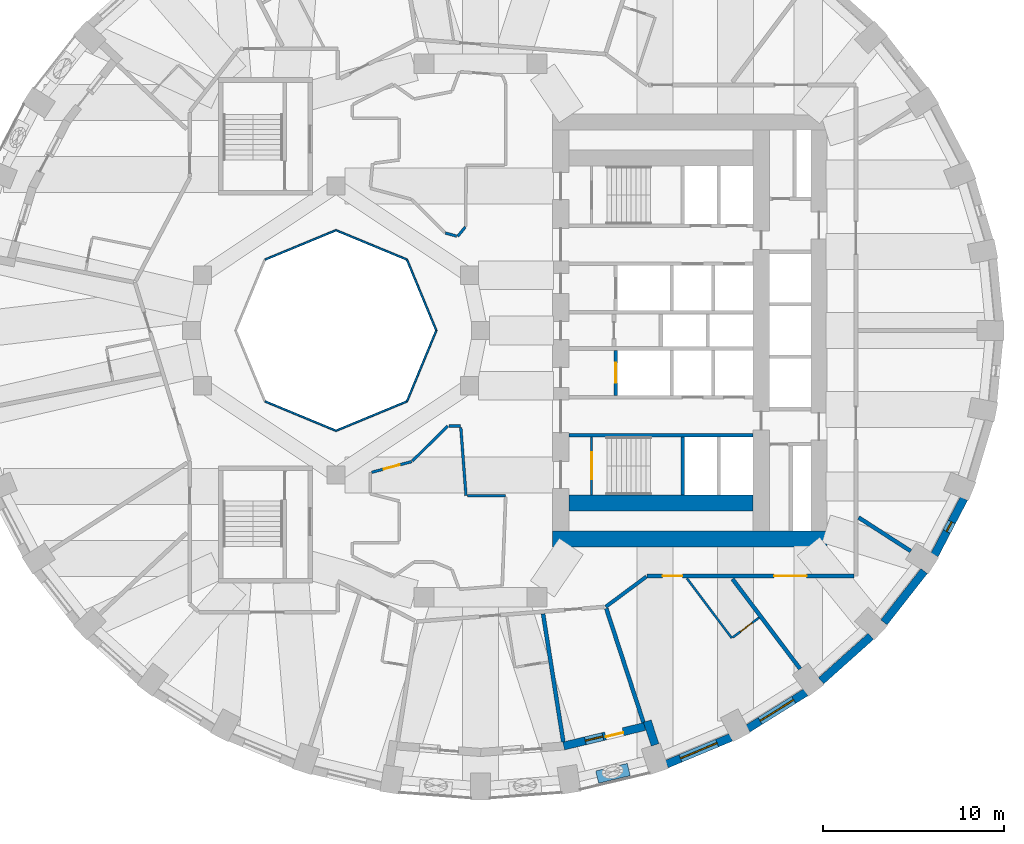
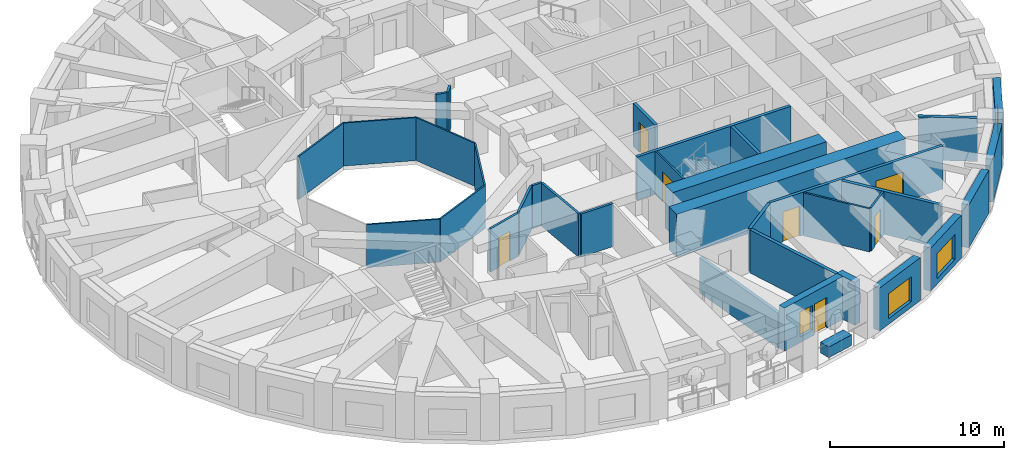
# One storey, part 5 of 13: 35 walls, 7 doors, 4 windows, 11 openings.
"""IFC4 building model written with IfcOpenShell, lengths in metres."""

from ifc_helpers import new_model, si_unit, direction, frame, frame_2d, origin, place, context, subcontext, project, spatial, rectangle, extrude, material, layer, layer_set, constituent, constituent_set, type_object, element, fill, save


model = new_model("IFC4")

# Units and contexts
model_context = context("Model", 3, precision=1e-05, world=origin(), true_north=direction((0.0, 1.0)))
body_context = subcontext(model_context, "Body", "Model", "MODEL_VIEW")
ifc_project = project(units=[si_unit("LENGTHUNIT", "METRE"), si_unit("AREAUNIT", "SQUARE_METRE"), si_unit("VOLUMEUNIT", "CUBIC_METRE"), si_unit("PLANEANGLEUNIT", "RADIAN"), si_unit("MASSUNIT", "GRAM", prefix="KILO")], contexts=[model_context])

# Site, building, storey
site_placement = place(None, origin())
site = spatial("IfcSite", under=ifc_project, at=site_placement, CompositionType="ELEMENT")
building_placement = place(site_placement, origin())
building = spatial("IfcBuilding", under=site, at=building_placement, Name="Taillehof Tower", CompositionType="ELEMENT")
storey_placement = place(building_placement, frame((0.0, 0.0, 34.89990234375)))
storey = spatial("IfcBuildingStorey", under=building, at=storey_placement, Name="L08", CompositionType="ELEMENT", Elevation=34.89990234375)

# Walls
ifc_material_1 = material(Name="Fire-resisting glass in steel frame", Category="steel")
ifc_layer_1 = layer(ifc_material_1, 0.10009765625)
ifc_layer_set_1 = layer_set([ifc_layer_1], Name="Atrium fire-resisting screen EI 60 100")
wall_type_1 = type_object("IfcWallType", Name="Atrium fire-resisting screen EI 60 100", PredefinedType="PARTITIONING", material=ifc_layer_set_1)
for number, where, z_axis, x_axis, name in (
    (1, (-2.44580078125, 0.0, 0.0), (0.0, 0.0, 1.0), (-0.382730523909, -0.923860025149, 0.0), "Atrium screen"),
    (2, (-4.07275390625, -3.92724609375, 0.0), (0.0, 0.0, 1.0), (-0.923860025149, -0.382730523909, 0.0), "Atrium screen"),
    (3, (-8.0, -5.55419921875, 0.0), (0.0, 0.0, 1.0), (-0.923860025149, 0.382730523909, 0.0), "Atrium screen"),
    (4, (-11.92724609375, 3.92724609375, 0.0), (0.0, 0.0, 1.0), (0.923860025149, 0.382730523909, 0.0), "Atrium screen"),
    (5, (-8.0, 5.55419921875, 0.0), (0.0, 0.0, 1.0), (0.923860025149, -0.382730523909, 0.0), "Atrium screen"),
    (6, (-4.07275390625, 3.92724609375, 0.0), (0.0, 0.0, 1.0), (0.382730523909, -0.923860025149, 0.0), "Atrium screen"),
):
    element("IfcWall", number, at=place(storey_placement, frame(where, z_axis=z_axis, x_axis=x_axis)), inside=storey, type_object=wall_type_1, Name=name, PredefinedType="PARTITIONING", context=body_context, shape_type="SweptSolid", body=[
        extrude(rectangle(XDim=4.2509765625, YDim=0.10009765625, at=frame_2d((2.12548828125, 0.0))), origin(), (0.0, 0.0, 1.0), 3.02001953125),
    ])

# Wall, opening, window
ifc_material_2 = material(Name="Brick masonry", Category="masonry")
ifc_layer_2 = layer(ifc_material_2, 0.449951171875)
ifc_layer_set_2 = layer_set([ifc_layer_2], Name="Brick infill wall 450")
wall_type_2 = type_object("IfcWallType", Name="Brick infill wall 450", PredefinedType="SOLIDWALL", material=ifc_layer_set_2)
wall_1_placement = place(storey_placement, frame((10.3154296875, -24.02099609375, 0.0), z_axis=(0.0, 0.0, 1.0), x_axis=(0.923031964282, 0.384723267966, 0.0)))
wall_1 = element("IfcWall", 7, at=wall_1_placement, inside=storey, type_object=wall_type_2, Name="Brick wall L08 bay 30", PredefinedType="SOLIDWALL", context=body_context, shape_type="SweptSolid", body=[
    extrude(rectangle(XDim=3.8564453125, YDim=0.449951171875, at=frame_2d((1.92822265625, 0.0))), origin(), (0.0, 0.0, 1.0), 3.02001953125),
])
opening_1_placement = place(wall_1_placement, frame((0.828125, 0.0, 0.39990234375)))
opening_1 = element("IfcOpeningElement", 8, at=opening_1_placement, cuts=wall_1, Name="Opening W1", PredefinedType="OPENING", context=body_context, shape_type="SweptSolid", body=[
    extrude(rectangle(XDim=2.199951171875, YDim=1.75, at=frame_2d((1.10009765625, 0.875))), frame((0.0, 0.23486328125, 0.0), z_axis=(0.0, -1.0, 0.0), x_axis=(1.0, 0.0, 0.0)), (0.0, 0.0, 1.0), 0.469970703125),
])
ifc_material_3 = material(Name="Aluminium window frame with clear double glazing", Category="aluminium")
window_type_1 = type_object("IfcWindowType", Name="Deep-set window 2200x1750", PartitioningType="SINGLE_PANEL", PredefinedType="WINDOW", material=ifc_material_3)
window_1_placement = place(opening_1_placement, origin())
window_1 = element("IfcWindow", 9, at=window_1_placement, inside=storey, type_object=window_type_1, Name="W1", OverallHeight=1.75, OverallWidth=2.199951171875, PartitioningType="SINGLE_PANEL", PredefinedType="WINDOW", context=body_context, shape_type="SweptSolid", body=[
    extrude(rectangle(XDim=2.199951171875, YDim=1.75, at=frame_2d((1.10009765625, 0.875))), frame((0.0, 0.034912109375, 0.0), z_axis=(0.0, -1.0, 0.0), x_axis=(1.0, 0.0, 0.0)), (0.0, 0.0, 1.0), 0.06005859375),
])
fill(opening_1, window_1)

wall_2_placement = place(storey_placement, frame((14.81689453125, -22.050537109375, 0.0), z_axis=(0.0, 0.0, 1.0), x_axis=(0.847635480093, 0.530579016629, 0.0)))
wall_2 = element("IfcWall", 10, at=wall_2_placement, inside=storey, type_object=wall_type_2, Name="Brick wall L08 bay 31", PredefinedType="SOLIDWALL", context=body_context, shape_type="SweptSolid", body=[
    extrude(rectangle(XDim=3.782470703125, YDim=0.449951171875, at=frame_2d((1.89111328125, 0.0))), origin(), (0.0, 0.0, 1.0), 3.02001953125),
])
opening_2_placement = place(wall_2_placement, frame((0.791259765625, 0.0, 0.39990234375)))
opening_2 = element("IfcOpeningElement", 11, at=opening_2_placement, cuts=wall_2, Name="Opening W1", PredefinedType="OPENING", context=body_context, shape_type="SweptSolid", body=[
    extrude(rectangle(XDim=2.199951171875, YDim=1.75, at=frame_2d((1.10009765625, 0.875))), frame((0.0, 0.23486328125, 0.0), z_axis=(0.0, -1.0, 0.0), x_axis=(1.0, 0.0, 0.0)), (0.0, 0.0, 1.0), 0.469970703125),
])
window_2_placement = place(opening_2_placement, origin())
window_2 = element("IfcWindow", 12, at=window_2_placement, inside=storey, type_object=window_type_1, Name="W1", OverallHeight=1.75, OverallWidth=2.199951171875, PartitioningType="SINGLE_PANEL", PredefinedType="WINDOW", context=body_context, shape_type="SweptSolid", body=[
    extrude(rectangle(XDim=2.199951171875, YDim=1.75, at=frame_2d((1.10009765625, 0.875))), frame((0.0, 0.034912109375, 0.0), z_axis=(0.0, -1.0, 0.0), x_axis=(1.0, 0.0, 0.0)), (0.0, 0.0, 1.0), 0.06005859375),
])
fill(opening_2, window_2)

# Walls
wall_3_placement = place(storey_placement, frame((18.87060546875, -19.406982421875, 0.0), z_axis=(0.0, 0.0, 1.0), x_axis=(0.745526233716, 0.66647628228, 0.0)))
element("IfcWall", 13, at=wall_3_placement, inside=storey, type_object=wall_type_2, Name="Brick wall L08 bay 32", PredefinedType="SOLIDWALL", context=body_context, shape_type="SweptSolid", body=[
    extrude(rectangle(XDim=3.69677734375, YDim=0.449951171875, at=frame_2d((1.848388671875, 0.0))), origin(), (0.0, 0.0, 1.0), 3.02001953125),
])
wall_4_placement = place(storey_placement, frame((22.3515625, -16.169677734375, 0.0), z_axis=(0.0, 0.0, 1.0), x_axis=(0.616661975264, 0.787228053529, 0.0)))
element("IfcWall", 14, at=wall_4_placement, inside=storey, type_object=wall_type_2, Name="Brick wall L08 bay 33", PredefinedType="SOLIDWALL", context=body_context, shape_type="SweptSolid", body=[
    extrude(rectangle(XDim=3.60986328125, YDim=0.449951171875, at=frame_2d((1.804931640625, 0.0))), origin(), (0.0, 0.0, 1.0), 3.02001953125),
])

# Wall, opening, window
wall_5_placement = place(storey_placement, frame((25.152099609375, -12.436767578125, 0.0), z_axis=(0.0, 0.0, 1.0), x_axis=(0.462492775226, 0.886623050041, 0.0)))
wall_5 = element("IfcWall", 15, at=wall_5_placement, inside=storey, type_object=wall_type_2, Name="Brick wall L08 bay 34", PredefinedType="SOLIDWALL", context=body_context, shape_type="SweptSolid", body=[
    extrude(rectangle(XDim=3.531982421875, YDim=0.449951171875, at=frame_2d((1.76611328125, 0.0))), origin(), (0.0, 0.0, 1.0), 3.02001953125),
])
opening_3_placement = place(wall_5_placement, frame((1.466064453125, 0.0, 0.39990234375)))
opening_3 = element("IfcOpeningElement", 16, at=opening_3_placement, cuts=wall_5, Name="Opening W6", PredefinedType="OPENING", context=body_context, shape_type="SweptSolid", body=[
    extrude(rectangle(XDim=0.60009765625, YDim=1.75, at=frame_2d((0.300048828125, 0.875))), frame((0.0, 0.23486328125, 0.0), z_axis=(0.0, -1.0, 0.0), x_axis=(1.0, 0.0, 0.0)), (0.0, 0.0, 1.0), 0.469970703125),
])
ifc_material_4 = material(Name="Aluminium window frame with clear double glazing", Category="aluminium")
window_type_2 = type_object("IfcWindowType", Name="Slot window 600x1750", PartitioningType="SINGLE_PANEL", PredefinedType="WINDOW", material=ifc_material_4)
window_3_placement = place(opening_3_placement, origin())
window_3 = element("IfcWindow", 17, at=window_3_placement, inside=storey, type_object=window_type_2, Name="W6", OverallHeight=1.75, OverallWidth=0.60009765625, PartitioningType="SINGLE_PANEL", PredefinedType="WINDOW", context=body_context, shape_type="SweptSolid", body=[
    extrude(rectangle(XDim=0.60009765625, YDim=1.75, at=frame_2d((0.300048828125, 0.875))), frame((0.0, 0.034912109375, 0.0), z_axis=(0.0, -1.0, 0.0), x_axis=(1.0, 0.0, 0.0)), (0.0, 0.0, 1.0), 0.06005859375),
])
fill(opening_3, window_3)

# Wall
wall_6_placement = place(storey_placement, frame((9.673583984375, -22.95556640625, 0.0), z_axis=(0.0, 0.0, 1.0), x_axis=(-0.310269011655, 0.950648799719, 0.0)))
element("IfcWall", 18, at=wall_6_placement, inside=storey, type_object=wall_type_2, Name="Brick reveal L08 pocket 8", PredefinedType="SOLIDWALL", context=body_context, shape_type="SweptSolid", body=[
    extrude(rectangle(XDim=1.390380859375, YDim=0.449951171875, at=frame_2d((0.6953125, 0.0))), origin(), (0.0, 0.0, 1.0), 3.02001953125),
])

# Wall, openings, door, window
wall_7_placement = place(storey_placement, frame((4.6083984375, -23.015625, 0.0), z_axis=(0.0, 0.0, 1.0), x_axis=(0.972343667289, 0.233554688847, 0.0)))
wall_7 = element("IfcWall", 19, at=wall_7_placement, inside=storey, type_object=wall_type_2, Name="Brick wall L08 pocket bay 29", PredefinedType="SOLIDWALL", context=body_context, shape_type="SweptSolid", body=[
    extrude(rectangle(XDim=4.62353515625, YDim=0.449951171875, at=frame_2d((2.311767578125, 0.0))), origin(), (0.0, 0.0, 1.0), 3.02001953125),
])
opening_4_placement = place(wall_7_placement, frame((1.23681640625, 0.0, 0.39990234375)))
opening_4 = element("IfcOpeningElement", 20, at=opening_4_placement, cuts=wall_7, Name="Opening W5", PredefinedType="OPENING", context=body_context, shape_type="SweptSolid", body=[
    extrude(rectangle(XDim=1.0, YDim=1.75, at=frame_2d((0.5, 0.875))), frame((0.0, 0.23486328125, 0.0), z_axis=(0.0, -1.0, 0.0), x_axis=(1.0, 0.0, 0.0)), (0.0, 0.0, 1.0), 0.469970703125),
])
opening_5_placement = place(wall_7_placement, frame((2.38671875, 0.0, 0.0)))
opening_5 = element("IfcOpeningElement", 21, at=opening_5_placement, cuts=wall_7, Name="Opening D0896", PredefinedType="OPENING", context=body_context, shape_type="SweptSolid", body=[
    extrude(rectangle(XDim=1.0, YDim=2.14990234375, at=frame_2d((0.5, 1.074951171875))), frame((0.0, 0.23486328125, 0.0), z_axis=(0.0, -1.0, 0.0), x_axis=(1.0, 0.0, 0.0)), (0.0, 0.0, 1.0), 0.469970703125),
])
ifc_material_5 = material(Name="Aluminium door frame with clear double glazing", Category="aluminium")
door_type_1 = type_object("IfcDoorType", Name="Balcony door 1000x2150", OperationType="SINGLE_SWING_RIGHT", PredefinedType="DOOR", material=ifc_material_5)
door_1_placement = place(opening_5_placement, frame((1.0, 0.0, 0.0), z_axis=(0.0, 0.0, 1.0), x_axis=(-1.0, 0.0, 0.0)))
door_1 = element("IfcDoor", 22, at=door_1_placement, inside=storey, type_object=door_type_1, Name="Balcony door L08 bay 29", OperationType="SINGLE_SWING_LEFT", OverallHeight=2.14990234375, OverallWidth=1.0, PredefinedType="DOOR", context=body_context, shape_type="SweptSolid", body=[
    extrude(rectangle(XDim=1.0, YDim=2.14990234375, at=frame_2d((0.5, 1.074951171875))), frame((0.0, 0.0751953125, 0.0), z_axis=(0.0, -1.0, 0.0), x_axis=(1.0, 0.0, 0.0)), (0.0, 0.0, 1.0), 0.050048828125),
])
fill(opening_5, door_1)
ifc_material_6 = material(Name="Aluminium window frame with clear double glazing", Category="aluminium")
window_type_3 = type_object("IfcWindowType", Name="Fixed window 1000x1750", PartitioningType="SINGLE_PANEL", PredefinedType="WINDOW", material=ifc_material_6)
window_4_placement = place(opening_4_placement, origin())
window_4 = element("IfcWindow", 23, at=window_4_placement, inside=storey, type_object=window_type_3, Name="W5", OverallHeight=1.75, OverallWidth=1.0, PartitioningType="SINGLE_PANEL", PredefinedType="WINDOW", context=body_context, shape_type="SweptSolid", body=[
    extrude(rectangle(XDim=1.0, YDim=1.75, at=frame_2d((0.5, 0.875))), frame((0.0, 0.034912109375, 0.0), z_axis=(0.0, -1.0, 0.0), x_axis=(1.0, 0.0, 0.0)), (0.0, 0.0, 1.0), 0.06005859375),
])
fill(opening_4, window_4)

# Wall, openings, doors
ifc_material_7 = material(Name="Gypsum board on steel studs, two layers each side", Category="steel")
ifc_layer_3 = layer(ifc_material_7, 0.199951171875)
ifc_layer_set_3 = layer_set([ifc_layer_3], Name="Compartment wall corridor 200")
wall_type_3 = type_object("IfcWallType", Name="Compartment wall corridor 200", PredefinedType="PARTITIONING", material=ifc_layer_set_3)
wall_8_placement = place(storey_placement, frame((20.699951171875, -13.60009765625, 0.0), z_axis=(0.0, 0.0, 1.0), x_axis=(-1.0, 0.0, 0.0)))
wall_8 = element("IfcWall", 24, at=wall_8_placement, inside=storey, type_object=wall_type_3, Name="Compartment wall", PredefinedType="PARTITIONING", context=body_context, shape_type="SweptSolid", body=[
    extrude(rectangle(XDim=11.462890625, YDim=0.199951171875, at=frame_2d((5.7314453125, 0.0))), origin(), (0.0, 0.0, 1.0), 3.02001953125),
])
opening_6_placement = place(wall_8_placement, frame((9.509033203125, 0.0, 0.0)))
opening_6 = element("IfcOpeningElement", 25, at=opening_6_placement, cuts=wall_8, Name="Opening D0860", PredefinedType="OPENING", context=body_context, shape_type="SweptSolid", body=[
    extrude(rectangle(XDim=1.10009765625, YDim=2.10009765625, at=frame_2d((0.550048828125, 1.050048828125))), frame((0.0, 0.10986328125, 0.0), z_axis=(0.0, -1.0, 0.0), x_axis=(1.0, 0.0, 0.0)), (0.0, 0.0, 1.0), 0.219970703125),
])
opening_7_placement = place(wall_8_placement, frame((2.6376953125, 0.0, 0.0)))
opening_7 = element("IfcOpeningElement", 26, at=opening_7_placement, cuts=wall_8, Name="Opening D0862", PredefinedType="OPENING", context=body_context, shape_type="SweptSolid", body=[
    extrude(rectangle(XDim=1.800048828125, YDim=2.10009765625, at=frame_2d((0.89990234375, 1.050048828125))), frame((0.0, 0.10986328125, 0.0), z_axis=(0.0, -1.0, 0.0), x_axis=(1.0, 0.0, 0.0)), (0.0, 0.0, 1.0), 0.219970703125),
])
ifc_material_8 = material(Name="Timber door leaf in steel frame", Category="steel")
door_type_2 = type_object("IfcDoorType", Name="Lounge and meeting room double door EI 30 1800 x 2100", OperationType="SINGLE_SWING_LEFT", PredefinedType="DOOR", material=ifc_material_8)
door_2_placement = place(opening_7_placement, origin())
door_2 = element("IfcDoor", 27, at=door_2_placement, inside=storey, type_object=door_type_2, Name="D0862", OperationType="DOUBLE_DOOR_SINGLE_SWING", OverallHeight=2.10009765625, OverallWidth=1.800048828125, PredefinedType="DOOR", context=body_context, shape_type="SweptSolid", body=[
    extrude(rectangle(XDim=1.800048828125, YDim=2.10009765625, at=frame_2d((0.89990234375, 1.050048828125))), frame((0.0, 0.02490234375, 0.0), z_axis=(0.0, -1.0, 0.0), x_axis=(1.0, 0.0, 0.0)), (0.0, 0.0, 1.0), 0.050048828125),
])
fill(opening_7, door_2)
ifc_material_9 = material(Name="Timber door leaf in steel frame", Category="steel")
door_type_3 = type_object("IfcDoorType", Name="Suite entrance door EI 30 1100 x 2100", OperationType="SINGLE_SWING_LEFT", PredefinedType="DOOR", material=ifc_material_9)
door_3_placement = place(opening_6_placement, origin())
door_3 = element("IfcDoor", 28, at=door_3_placement, inside=storey, type_object=door_type_3, Name="D0860", OperationType="SINGLE_SWING_LEFT", OverallHeight=2.10009765625, OverallWidth=1.10009765625, PredefinedType="DOOR", context=body_context, shape_type="SweptSolid", body=[
    extrude(rectangle(XDim=1.10009765625, YDim=2.10009765625, at=frame_2d((0.550048828125, 1.050048828125))), frame((0.0, 0.02490234375, 0.0), z_axis=(0.0, -1.0, 0.0), x_axis=(1.0, 0.0, 0.0)), (0.0, 0.0, 1.0), 0.050048828125),
])
fill(opening_6, door_3)

# Walls
wall_9_placement = place(storey_placement, frame((9.188720703125, -13.635986328125, 0.0), z_axis=(0.0, 0.0, 1.0), x_axis=(-0.8028261118, -0.596213245586, 0.0)))
element("IfcWall", 29, at=wall_9_placement, inside=storey, type_object=wall_type_3, Name="Compartment wall", PredefinedType="PARTITIONING", context=body_context, shape_type="SweptSolid", body=[
    extrude(rectangle(XDim=2.800537109375, YDim=0.199951171875, at=frame_2d((1.400390625, 0.0))), origin(), (0.0, 0.0, 1.0), 3.02001953125),
])
ifc_material_10 = material(Name="Gypsum board on double steel studs with mineral wool", Category="steel")
ifc_layer_4 = layer(ifc_material_10, 0.219970703125)
ifc_layer_set_4 = layer_set([ifc_layer_4], Name="Compartment wall guest room 220")
wall_type_4 = type_object("IfcWallType", Name="Compartment wall guest room 220", PredefinedType="PARTITIONING", material=ifc_layer_set_4)
wall_10_placement = place(storey_placement, frame((4.590576171875, -22.78857421875, 0.0), z_axis=(0.0, 0.0, 1.0), x_axis=(-0.156144168019, 0.987734275397, 0.0)))
element("IfcWall", 30, at=wall_10_placement, inside=storey, type_object=wall_type_4, Name="Compartment wall", PredefinedType="PARTITIONING", context=body_context, shape_type="SweptSolid", body=[
    extrude(rectangle(XDim=7.179931640625, YDim=0.219970703125, at=frame_2d((3.58984375, 0.0))), origin(), (0.0, 0.0, 1.0), 2.47021484375),
])
wall_11_placement = place(storey_placement, frame((9.033935546875, -21.72119140625, 0.0), z_axis=(0.0, 0.0, 1.0), x_axis=(-0.31029478083, 0.95064038889, 0.0)))
element("IfcWall", 31, at=wall_11_placement, inside=storey, type_object=wall_type_4, Name="Compartment wall", PredefinedType="PARTITIONING", context=body_context, shape_type="SweptSolid", body=[
    extrude(rectangle(XDim=6.6484375, YDim=0.219970703125, at=frame_2d((3.32421875, 0.0))), origin(), (0.0, 0.0, 1.0), 3.02001953125),
])
wall_12_placement = place(storey_placement, frame((17.707763671875, -18.7431640625, 0.0), z_axis=(0.0, 0.0, 1.0), x_axis=(-0.601177883261, 0.799115231164, 0.0)))
element("IfcWall", 32, at=wall_12_placement, inside=storey, type_object=wall_type_4, Name="Compartment wall", PredefinedType="PARTITIONING", context=body_context, shape_type="SweptSolid", body=[
    extrude(rectangle(XDim=6.231201171875, YDim=0.219970703125, at=frame_2d((3.11572265625, 0.0))), origin(), (0.0, 0.0, 1.0), 3.02001953125),
])
wall_13_placement = place(storey_placement, frame((23.834716796875, -12.218994140625, 0.0), z_axis=(0.0, 0.0, 1.0), x_axis=(-0.840694872373, 0.541509124176, 0.0)))
element("IfcWall", 33, at=wall_13_placement, inside=storey, type_object=wall_type_4, Name="Compartment wall", PredefinedType="PARTITIONING", context=body_context, shape_type="SweptSolid", body=[
    extrude(rectangle(XDim=3.430419921875, YDim=0.219970703125, at=frame_2d((1.71533203125, 0.0))), origin(), (0.0, 0.0, 1.0), 3.02001953125),
])
ifc_material_11 = material(Name="Gypsum board on steel studs, two layers each side", Category="steel")
ifc_layer_5 = layer(ifc_material_11, 0.14990234375)
ifc_layer_set_5 = layer_set([ifc_layer_5], Name="Compartment wall service room 150")
wall_type_5 = type_object("IfcWallType", Name="Compartment wall service room 150", PredefinedType="PARTITIONING", material=ifc_layer_set_5)
wall_14_placement = place(storey_placement, frame((-0.83837890625, 5.73095703125, 0.0), z_axis=(0.0, 0.0, 1.0), x_axis=(-0.634227442266, -0.773146526524, 0.0)))
element("IfcWall", 34, at=wall_14_placement, inside=storey, type_object=wall_type_5, Name="Compartment wall", PredefinedType="PARTITIONING", context=body_context, shape_type="SweptSolid", body=[
    extrude(rectangle(XDim=0.67138671875, YDim=0.14990234375, at=frame_2d((0.335693359375, 0.0))), origin(), (0.0, 0.0, 1.0), 3.02001953125),
])
wall_15_placement = place(storey_placement, frame((-1.322021484375, 5.22802734375, 0.0), z_axis=(0.0, 0.0, 1.0), x_axis=(-0.963895729021, 0.266279972163, 0.0)))
element("IfcWall", 35, at=wall_15_placement, inside=storey, type_object=wall_type_5, Name="Compartment wall", PredefinedType="PARTITIONING", context=body_context, shape_type="SweptSolid", body=[
    extrude(rectangle(XDim=0.646484375, YDim=0.14990234375, at=frame_2d((0.3232421875, 0.0))), origin(), (0.0, 0.0, 1.0), 3.02001953125),
])

# Wall, opening, door
wall_16_placement = place(storey_placement, frame((-6.02294921875, -7.856201171875, 0.0), z_axis=(0.0, 0.0, 1.0), x_axis=(0.965896736613, 0.258927584859, 0.0)))
wall_16 = element("IfcWall", 36, at=wall_16_placement, inside=storey, type_object=wall_type_5, Name="Compartment wall", PredefinedType="PARTITIONING", context=body_context, shape_type="SweptSolid", body=[
    extrude(rectangle(XDim=2.2939453125, YDim=0.14990234375, at=frame_2d((1.14697265625, 0.0))), origin(), (0.0, 0.0, 1.0), 3.02001953125),
])
opening_8_placement = place(wall_16_placement, frame((0.697021484375, 0.0, 0.0)))
opening_8 = element("IfcOpeningElement", 37, at=opening_8_placement, cuts=wall_16, Name="Opening D0867", PredefinedType="OPENING", context=body_context, shape_type="SweptSolid", body=[
    extrude(rectangle(XDim=0.89990234375, YDim=2.10009765625, at=frame_2d((0.449951171875, 1.050048828125))), frame((0.0, 0.0849609375, 0.0), z_axis=(0.0, -1.0, 0.0), x_axis=(1.0, 0.0, 0.0)), (0.0, 0.0, 1.0), 0.169921875),
])
ifc_material_12 = material(Name="Timber door leaf in steel frame", Category="steel")
door_type_4 = type_object("IfcDoorType", Name="Service room door EI 30 900 x 2100", OperationType="SINGLE_SWING_LEFT", PredefinedType="DOOR", material=ifc_material_12)
door_4_placement = place(opening_8_placement, origin())
door_4 = element("IfcDoor", 38, at=door_4_placement, inside=storey, type_object=door_type_4, Name="D0867", OperationType="SINGLE_SWING_RIGHT", OverallHeight=2.10009765625, OverallWidth=0.89990234375, PredefinedType="DOOR", context=body_context, shape_type="SweptSolid", body=[
    extrude(rectangle(XDim=0.89990234375, YDim=2.10009765625, at=frame_2d((0.449951171875, 1.050048828125))), frame((0.0, 0.02490234375, 0.0), z_axis=(0.0, -1.0, 0.0), x_axis=(1.0, 0.0, 0.0)), (0.0, 0.0, 1.0), 0.050048828125),
])
fill(opening_8, door_4)

# Walls
wall_17_placement = place(storey_placement, frame((-3.77880859375, -7.234375, 0.0), z_axis=(0.0, 0.0, 1.0), x_axis=(0.712684144815, 0.701485074487, 0.0)))
element("IfcWall", 39, at=wall_17_placement, inside=storey, type_object=wall_type_5, Name="Compartment wall", PredefinedType="PARTITIONING", context=body_context, shape_type="SweptSolid", body=[
    extrude(rectangle(XDim=2.7685546875, YDim=0.14990234375, at=frame_2d((1.38427734375, 0.0))), origin(), (0.0, 0.0, 1.0), 3.02001953125),
])
wall_18_placement = place(storey_placement, frame((-1.74560546875, -5.292236328125, 0.0), z_axis=(0.0, 0.0, 1.0), x_axis=(1.0, 0.0, 0.0)))
element("IfcWall", 40, at=wall_18_placement, inside=storey, type_object=wall_type_5, Name="Compartment wall", PredefinedType="PARTITIONING", context=body_context, shape_type="SweptSolid", body=[
    extrude(rectangle(XDim=0.651123046875, YDim=0.14990234375, at=frame_2d((0.32568359375, 0.0))), origin(), (0.0, 0.0, 1.0), 3.02001953125),
])
wall_19_placement = place(storey_placement, frame((-1.088623046875, -5.372314453125, 0.0), z_axis=(0.0, 0.0, 1.0), x_axis=(0.076169209517, -0.997094905975, 0.0)))
element("IfcWall", 41, at=wall_19_placement, inside=storey, type_object=wall_type_5, Name="Compartment wall", PredefinedType="PARTITIONING", context=body_context, shape_type="SweptSolid", body=[
    extrude(rectangle(XDim=3.78857421875, YDim=0.14990234375, at=frame_2d((1.894287109375, 0.0))), origin(), (0.0, 0.0, 1.0), 3.02001953125),
])
wall_20_placement = place(storey_placement, frame((-0.719970703125, -9.14990234375, 0.0), z_axis=(0.0, 0.0, 1.0), x_axis=(1.0, 0.0, 0.0)))
element("IfcWall", 42, at=wall_20_placement, inside=storey, type_object=wall_type_5, Name="Compartment wall", PredefinedType="PARTITIONING", context=body_context, shape_type="SweptSolid", body=[
    extrude(rectangle(XDim=2.119873046875, YDim=0.14990234375, at=frame_2d((1.06005859375, 0.0))), origin(), (0.0, 0.0, 1.0), 3.02001953125),
])
ifc_material_13 = material(Name="Concrete C80/95", Category="concrete")
ifc_layer_6 = layer(ifc_material_13, 0.89990234375)
ifc_layer_set_6 = layer_set([ifc_layer_6], Name="Core wall C80/95 900")
wall_type_6 = type_object("IfcWallType", Name="Core wall C80/95 900", PredefinedType="SHEAR", material=ifc_layer_set_6)
wall_21_placement = place(storey_placement, frame((4.0, -11.550048828125, 0.0), z_axis=(0.0, 0.0, 1.0), x_axis=(1.0, 0.0, 0.0)))
element("IfcWall", 43, at=wall_21_placement, inside=storey, type_object=wall_type_6, Name="Core wall CW04", PredefinedType="SHEAR", context=body_context, shape_type="SweptSolid", body=[
    extrude(rectangle(XDim=15.199951171875, YDim=0.89990234375, at=frame_2d((7.60009765625, 0.0))), origin(), (0.0, 0.0, 1.0), 3.02001953125),
])
wall_22_placement = place(storey_placement, frame((4.89990234375, -9.550048828125, 0.0), z_axis=(0.0, 0.0, 1.0), x_axis=(1.0, 0.0, 0.0)))
element("IfcWall", 44, at=wall_22_placement, inside=storey, type_object=wall_type_6, Name="Core wall CW07", PredefinedType="SHEAR", context=body_context, shape_type="SweptSolid", body=[
    extrude(rectangle(XDim=10.2001953125, YDim=0.89990234375, at=frame_2d((5.10009765625, 0.0))), origin(), (0.0, 0.0, 1.0), 3.02001953125),
])
ifc_material_14 = material(Name="Gypsum board on steel studs, moisture resistant", Category="steel")
ifc_layer_7 = layer(ifc_material_14, 0.1201171875)
ifc_layer_set_7 = layer_set([ifc_layer_7], Name="En-suite wall 120")
wall_type_7 = type_object("IfcWallType", Name="En-suite wall 120", PredefinedType="PARTITIONING", material=ifc_layer_set_7)
wall_23_placement = place(storey_placement, frame((11.43505859375, -13.73193359375, 0.0), z_axis=(0.0, 0.0, 1.0), x_axis=(0.601178939522, -0.799114436533, 0.0)))
element("IfcWall", 45, at=wall_23_placement, inside=storey, type_object=wall_type_7, Name="En-suite wall", PredefinedType="PARTITIONING", context=body_context, shape_type="SweptSolid", body=[
    extrude(rectangle(XDim=4.139404296875, YDim=0.1201171875, at=frame_2d((2.06982421875, 0.0))), origin(), (0.0, 0.0, 1.0), 3.02001953125),
])

# Wall, opening, door
wall_24_placement = place(storey_placement, frame((13.97119140625, -17.00390625, 0.0), z_axis=(0.0, 0.0, 1.0), x_axis=(0.799231057954, 0.60102388971, 0.0)))
wall_24 = element("IfcWall", 46, at=wall_24_placement, inside=storey, type_object=wall_type_7, Name="En-suite wall", PredefinedType="PARTITIONING", context=body_context, shape_type="SweptSolid", body=[
    extrude(rectangle(XDim=1.830322265625, YDim=0.1201171875, at=frame_2d((0.9150390625, 0.0))), origin(), (0.0, 0.0, 1.0), 3.02001953125),
])
opening_9_placement = place(wall_24_placement, frame((0.540283203125, 0.0, 0.0)))
opening_9 = element("IfcOpeningElement", 47, at=opening_9_placement, cuts=wall_24, Name="Opening D0861", PredefinedType="OPENING", context=body_context, shape_type="SweptSolid", body=[
    extrude(rectangle(XDim=0.800048828125, YDim=2.10009765625, at=frame_2d((0.39990234375, 1.050048828125))), frame((0.0, 0.070068359375, 0.0), z_axis=(0.0, -1.0, 0.0), x_axis=(1.0, 0.0, 0.0)), (0.0, 0.0, 1.0), 0.14013671875),
])
ifc_material_15 = material(Name="Timber door leaf in steel frame", Category="steel")
door_type_5 = type_object("IfcDoorType", Name="En-suite door 800 x 2100", OperationType="SINGLE_SWING_LEFT", PredefinedType="DOOR", material=ifc_material_15)
door_5_placement = place(opening_9_placement, origin())
door_5 = element("IfcDoor", 48, at=door_5_placement, inside=storey, type_object=door_type_5, Name="D0861", OperationType="SINGLE_SWING_LEFT", OverallHeight=2.10009765625, OverallWidth=0.800048828125, PredefinedType="DOOR", context=body_context, shape_type="SweptSolid", body=[
    extrude(rectangle(XDim=0.800048828125, YDim=2.10009765625, at=frame_2d((0.39990234375, 1.050048828125))), frame((0.0, 0.02490234375, 0.0), z_axis=(0.0, -1.0, 0.0), x_axis=(1.0, 0.0, 0.0)), (0.0, 0.0, 1.0), 0.050048828125),
])
fill(opening_9, door_5)

# Walls
ifc_material_16 = material(Name="Concrete C30/37 precast", Category="concrete")
ifc_constituent_1 = constituent(ifc_material_16, Name="Structure", Category="concrete")
ifc_material_17 = material(Name="Insulated lining")
ifc_constituent_2 = constituent(ifc_material_17, Name="Lining")
ifc_constituent_set = constituent_set(constituents=[ifc_constituent_1, ifc_constituent_2], Name="Planter trough 700x750")
wall_type_8 = type_object("IfcWallType", Name="Planter trough 700x750", PredefinedType="USERDEFINED", material=ifc_constituent_set)
wall_25_placement = place(storey_placement, frame((6.464599609375, -24.7373046875, 0.0), z_axis=(0.0, 0.0, 1.0), x_axis=(0.972504142103, 0.232885580473, 0.0)))
element("IfcWall", 49, at=wall_25_placement, inside=storey, type_object=wall_type_8, Name="Planter L08 bay 29", ObjectType="PLANTER", PredefinedType="USERDEFINED", context=body_context, shape_type="SweptSolid", body=[
    extrude(rectangle(XDim=1.800048828125, YDim=0.699951171875, at=frame_2d((0.89990234375, 0.0))), origin(), (0.0, 0.0, 1.0), 0.75),
])
ifc_material_18 = material(Name="Concrete C50/60", Category="concrete")
ifc_layer_8 = layer(ifc_material_18, 0.199951171875)
ifc_layer_set_8 = layer_set([ifc_layer_8], Name="Shaft wall C50/60 200")
wall_type_9 = type_object("IfcWallType", Name="Shaft wall C50/60 200", PredefinedType="SHEAR", material=ifc_layer_set_8)
wall_26_placement = place(storey_placement, frame((4.89990234375, -5.800048828125, 0.0), z_axis=(0.0, 0.0, 1.0), x_axis=(1.0, 0.0, 0.0)))
element("IfcWall", 50, at=wall_26_placement, inside=storey, type_object=wall_type_9, Name="Shaft wall SW", PredefinedType="SHEAR", context=body_context, shape_type="SweptSolid", body=[
    extrude(rectangle(XDim=10.2001953125, YDim=0.199951171875, at=frame_2d((5.10009765625, 0.0))), origin(), (0.0, 0.0, 1.0), 3.02001953125),
])
wall_27_placement = place(storey_placement, frame((11.199951171875, -9.10009765625, 0.0), z_axis=(0.0, 0.0, 1.0), x_axis=(0.0, 1.0, 0.0)))
element("IfcWall", 51, at=wall_27_placement, inside=storey, type_object=wall_type_9, Name="Shaft wall SW", PredefinedType="SHEAR", context=body_context, shape_type="SweptSolid", body=[
    extrude(rectangle(XDim=3.2001953125, YDim=0.199951171875, at=frame_2d((1.60009765625, 0.0))), origin(), (0.0, 0.0, 1.0), 3.02001953125),
])

# Wall, opening, door
wall_28_placement = place(storey_placement, frame((7.5, -3.60009765625, 0.0), z_axis=(0.0, 0.0, 1.0), x_axis=(0.0, 1.0, 0.0)))
wall_28 = element("IfcWall", 52, at=wall_28_placement, inside=storey, type_object=wall_type_9, Name="Shaft wall SW", PredefinedType="SHEAR", context=body_context, shape_type="SweptSolid", body=[
    extrude(rectangle(XDim=2.5, YDim=0.199951171875, at=frame_2d((1.25, 0.0))), origin(), (0.0, 0.0, 1.0), 3.02001953125),
])
opening_10_placement = place(wall_28_placement, frame((0.699951171875, 0.0, 0.0)))
opening_10 = element("IfcOpeningElement", 53, at=opening_10_placement, cuts=wall_28, Name="Opening LD1", PredefinedType="OPENING", context=body_context, shape_type="SweptSolid", body=[
    extrude(rectangle(XDim=1.10009765625, YDim=2.10009765625, at=frame_2d((0.550048828125, 1.050048828125))), frame((0.0, 0.10986328125, 0.0), z_axis=(0.0, -1.0, 0.0), x_axis=(1.0, 0.0, 0.0)), (0.0, 0.0, 1.0), 0.219970703125),
])
ifc_material_19 = material(Name="Stainless steel", Category="steel")
door_type_6 = type_object("IfcDoorType", Name="Lift landing door LD1 1100x2100", OperationType="DOUBLE_DOOR_SLIDING", PredefinedType="DOOR", material=ifc_material_19)
door_6_placement = place(opening_10_placement, origin())
door_6 = element("IfcDoor", 54, at=door_6_placement, inside=storey, type_object=door_type_6, Name="Landing door FF2", OperationType="DOUBLE_DOOR_SLIDING", OverallHeight=2.10009765625, OverallWidth=1.10009765625, PredefinedType="DOOR", context=body_context, shape_type="SweptSolid", body=[
    extrude(rectangle(XDim=1.10009765625, YDim=2.10009765625, at=frame_2d((0.550048828125, 1.050048828125))), frame((0.0, 0.02490234375, 0.0), z_axis=(0.0, -1.0, 0.0), x_axis=(1.0, 0.0, 0.0)), (0.0, 0.0, 1.0), 0.050048828125),
])
fill(opening_10, door_6)

ifc_material_20 = material(Name="Concrete C50/60", Category="concrete")
ifc_layer_9 = layer(ifc_material_20, 0.1201171875)
ifc_layer_set_9 = layer_set([ifc_layer_9], Name="Stair lobby wall C50/60 120")
wall_type_10 = type_object("IfcWallType", Name="Stair lobby wall C50/60 120", PredefinedType="SHEAR", material=ifc_layer_set_9)
wall_29_placement = place(storey_placement, frame((6.159912109375, -9.10009765625, 0.0), z_axis=(0.0, 0.0, 1.0), x_axis=(0.0, 1.0, 0.0)))
wall_29 = element("IfcWall", 55, at=wall_29_placement, inside=storey, type_object=wall_type_10, Name="Compartment wall SW", PredefinedType="SHEAR", context=body_context, shape_type="SweptSolid", body=[
    extrude(rectangle(XDim=3.2001953125, YDim=0.1201171875, at=frame_2d((1.60009765625, 0.0))), origin(), (0.0, 0.0, 1.0), 3.02001953125),
])
opening_11_placement = place(wall_29_placement, frame((0.85009765625, 0.0, 0.0)))
opening_11 = element("IfcOpeningElement", 56, at=opening_11_placement, cuts=wall_29, Name="Opening D0811", PredefinedType="OPENING", context=body_context, shape_type="SweptSolid", body=[
    extrude(rectangle(XDim=1.5, YDim=2.10009765625, at=frame_2d((0.75, 1.050048828125))), frame((0.0, 0.070068359375, 0.0), z_axis=(0.0, -1.0, 0.0), x_axis=(1.0, 0.0, 0.0)), (0.0, 0.0, 1.0), 0.14013671875),
])
ifc_material_21 = material(Name="Steel-faced fire door", Category="steel")
door_type_7 = type_object("IfcDoorType", Name="Stair door 1500x2100", OperationType="DOUBLE_DOOR_SINGLE_SWING", PredefinedType="DOOR", material=ifc_material_21)
door_7_placement = place(opening_11_placement, origin())
door_7 = element("IfcDoor", 57, at=door_7_placement, inside=storey, type_object=door_type_7, Name="Stair lobby door S2", OperationType="DOUBLE_DOOR_SINGLE_SWING", OverallHeight=2.10009765625, OverallWidth=1.5, PredefinedType="DOOR", context=body_context, shape_type="SweptSolid", body=[
    extrude(rectangle(XDim=1.5, YDim=2.10009765625, at=frame_2d((0.75, 1.050048828125))), frame((0.0, 0.02490234375, 0.0), z_axis=(0.0, -1.0, 0.0), x_axis=(1.0, 0.0, 0.0)), (0.0, 0.0, 1.0), 0.050048828125),
])
fill(opening_11, door_7)

save(model, "model.ifc")
